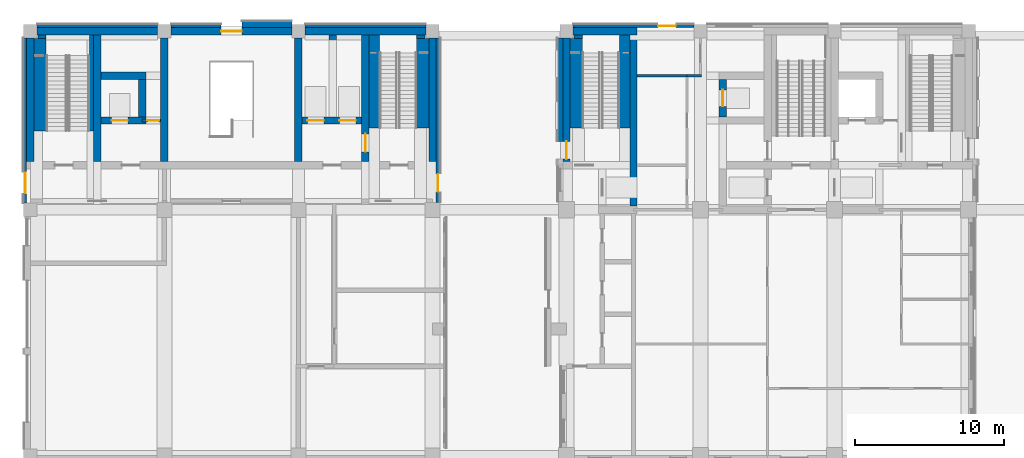
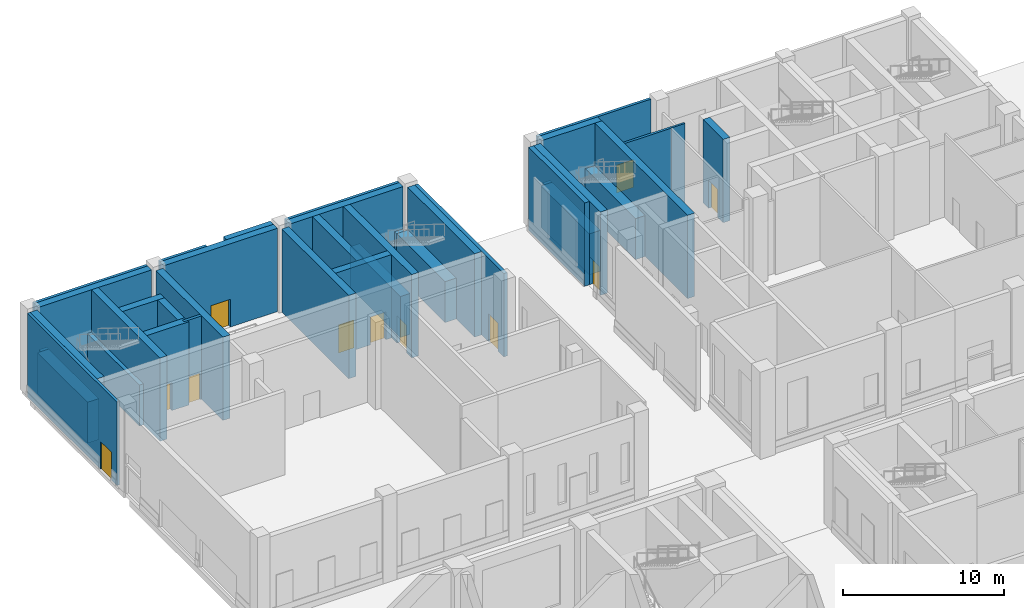
# One storey, part 17 of 35: 38 walls, 11 doors, 11 openings.
"""IFC4 building model written with IfcOpenShell, lengths in metres."""

from ifc_helpers import new_model, si_unit, direction, frame, frame_2d, origin, place, context, subcontext, project, spatial, rectangle, extrude, material, layer, layer_set, type_object, element, fill, save


model = new_model("IFC4")

# Units and contexts
model_context = context("Model", 3, precision=1e-05, world=origin(), true_north=direction((0.0, 1.0)))
body_context = subcontext(model_context, "Body", "Model", "MODEL_VIEW")
ifc_project = project(units=[si_unit("LENGTHUNIT", "METRE"), si_unit("AREAUNIT", "SQUARE_METRE"), si_unit("VOLUMEUNIT", "CUBIC_METRE"), si_unit("PLANEANGLEUNIT", "RADIAN"), si_unit("MASSUNIT", "GRAM", prefix="KILO")], contexts=[model_context])

# Site, building, storey
site_placement = place(None, origin())
site = spatial("IfcSite", under=ifc_project, at=site_placement, CompositionType="ELEMENT")
building_placement = place(site_placement, origin())
building = spatial("IfcBuilding", under=site, at=building_placement, Name="Aurelan Courthouse", CompositionType="ELEMENT")
storey_placement = place(building_placement, origin())
storey = spatial("IfcBuildingStorey", under=building, at=storey_placement, Name="L00", CompositionType="ELEMENT", Elevation=0.0)

# Walls
ifc_material_1 = material(Name="Gypsum board on metal studs")
ifc_layer_1 = layer(ifc_material_1, 0.175048828125)
ifc_layer_set_1 = layer_set([ifc_layer_1], Name="Gypsum board on metal studs")
wall_type_1 = type_object("IfcWallType", Name="Chambers acoustic partition 175 NOT RATED", PredefinedType="PARTITIONING", material=ifc_layer_set_1)
wall_1_placement = place(storey_placement, frame((40.75, 63.0, 0.0), z_axis=(0.0, 0.0, 1.0), x_axis=(1.0, 0.0, 0.0)))
element("IfcWall", 1, at=wall_1_placement, inside=storey, type_object=wall_type_1, Name="Chambers acoustic partition L00-054", PredefinedType="PARTITIONING", context=body_context, shape_type="SweptSolid", body=[
    extrude(rectangle(XDim=3.35009765625, YDim=0.175048828125, at=frame_2d((1.675048828125, 0.0))), origin(), (0.0, 0.0, 1.0), 6.300048828125),
])
ifc_layer_2 = layer(ifc_material_1, 0.14990234375)
ifc_layer_set_2 = layer_set([ifc_layer_2], Name="Gypsum board on metal studs")
wall_type_2 = type_object("IfcWallType", Name="Corridor partition 150 EI 60", PredefinedType="PARTITIONING", material=ifc_layer_set_2)
wall_2_placement = place(storey_placement, frame((44.10009765625, 63.0, 0.0), z_axis=(0.0, 0.0, 1.0), x_axis=(1.0, 0.0, 0.0)))
element("IfcWall", 2, at=wall_2_placement, inside=storey, type_object=wall_type_2, Name="Corridor partition L00-055", PredefinedType="PARTITIONING", context=body_context, shape_type="SweptSolid", body=[
    extrude(rectangle(XDim=0.974853515625, YDim=0.14990234375, at=frame_2d((0.4873046875, 0.0))), origin(), (0.0, 0.0, 1.0), 6.300048828125),
])

# Wall, opening, door
ifc_material_2 = material(Name="Granite cladding", Category="masonry")
ifc_layer_3 = layer(ifc_material_2, 0.054931640625, Name="Facing")
ifc_material_3 = material(Name="Ventilated cavity")
ifc_layer_4 = layer(ifc_material_3, 0.02490234375, ventilated=True, Name="Ventilated cavity")
ifc_material_4 = material(Name="Mineral wool insulation")
ifc_layer_5 = layer(ifc_material_4, 0.030029296875, Name="Insulation")
ifc_material_5 = material(Name="Concrete C30", Category="concrete")
ifc_layer_6 = layer(ifc_material_5, 0.090087890625, Name="Structure")
ifc_layer_set_3 = layer_set([ifc_layer_3, ifc_layer_4, ifc_layer_5, ifc_layer_6], Name="Concrete C30")
wall_type_3 = type_object("IfcWallType", Name="Courtroom Block granite-faced wall 200", PredefinedType="SOLIDWALL", material=ifc_layer_set_3)
wall_3_placement = place(storey_placement, frame((36.449951171875, 66.35009765625, 0.0), z_axis=(0.0, 0.0, 1.0), x_axis=(1.0, 0.0, 0.0)))
wall_3 = element("IfcWall", 3, at=wall_3_placement, inside=storey, type_object=wall_type_3, Name="Facade wall FW-V2-L00-005", PredefinedType="SOLIDWALL", context=body_context, shape_type="SweptSolid", body=[
    extrude(rectangle(XDim=8.10009765625, YDim=0.199951171875, at=frame_2d((4.050048828125, 0.0))), origin(), (0.0, 0.0, 1.0), 6.300048828125),
])
opening_1_placement = place(wall_3_placement, frame((5.699951171875, 0.0, 0.0)))
opening_1 = element("IfcOpeningElement", 4, at=opening_1_placement, cuts=wall_3, Name="Opening D-L00-053", PredefinedType="OPENING", context=body_context, shape_type="SweptSolid", body=[
    extrude(rectangle(XDim=1.199951171875, YDim=2.10009765625, at=frame_2d((0.60009765625, 1.050048828125))), frame((0.0, 0.10986328125, 0.0), z_axis=(0.0, -1.0, 0.0), x_axis=(1.0, 0.0, 0.0)), (0.0, 0.0, 1.0), 0.219970703125),
])
ifc_material_6 = material(Name="Bronze-clad timber", Category="wood")
door_type_1 = type_object("IfcDoorType", Name="Bronze single door 1200 x 2100", OperationType="SINGLE_SWING_LEFT", PredefinedType="DOOR", material=ifc_material_6)
door_1_placement = place(opening_1_placement, origin())
door_1 = element("IfcDoor", 5, at=door_1_placement, inside=storey, type_object=door_type_1, Name="Exit door D-L00-053", OperationType="SINGLE_SWING_LEFT", OverallHeight=2.10009765625, OverallWidth=1.199951171875, PredefinedType="DOOR", context=body_context, shape_type="SweptSolid", body=[
    extrude(rectangle(XDim=1.199951171875, YDim=2.10009765625, at=frame_2d((0.60009765625, 1.050048828125))), frame((0.0, 0.02490234375, 0.0), z_axis=(0.0, -1.0, 0.0), x_axis=(1.0, 0.0, 0.0)), (0.0, 0.0, 1.0), 0.050048828125),
])
fill(opening_1, door_1)

# Walls
ifc_layer_7 = layer(ifc_material_2, 0.10009765625, Name="Facing")
ifc_layer_8 = layer(ifc_material_3, 0.02490234375, ventilated=True, Name="Ventilated cavity")
ifc_layer_9 = layer(ifc_material_4, 0.050048828125, Name="Insulation")
ifc_layer_10 = layer(ifc_material_5, 0.175048828125, Name="Structure")
ifc_layer_set_4 = layer_set([ifc_layer_7, ifc_layer_8, ifc_layer_9, ifc_layer_10], Name="Concrete C30")
wall_type_4 = type_object("IfcWallType", Name="Courtroom Block granite-faced wall 350", PredefinedType="SOLIDWALL", material=ifc_layer_set_4)
wall_4_placement = place(storey_placement, frame((35.574951171875, 58.60009765625, 0.0), z_axis=(0.0, 0.0, 1.0), x_axis=(0.0, 1.0, 0.0)))
element("IfcWall", 6, at=wall_4_placement, inside=storey, type_object=wall_type_4, Name="Facade wall FW-V2-L00-017", PredefinedType="SOLIDWALL", context=body_context, shape_type="SweptSolid", body=[
    extrude(rectangle(XDim=6.949951171875, YDim=0.35009765625, at=frame_2d((3.47509765625, 0.0))), origin(), (0.0, 0.0, 1.0), 6.300048828125),
])
ifc_layer_11 = layer(ifc_material_2, 0.054931640625, Name="Facing")
ifc_layer_12 = layer(ifc_material_3, 0.02490234375, ventilated=True, Name="Ventilated cavity")
ifc_layer_13 = layer(ifc_material_4, 0.030029296875, Name="Insulation")
ifc_layer_14 = layer(ifc_material_5, 0.090087890625, Name="Structure")
ifc_layer_set_5 = layer_set([ifc_layer_11, ifc_layer_12, ifc_layer_13, ifc_layer_14], Name="Concrete C30")
wall_type_5 = type_object("IfcWallType", Name="Custody Suite granite-faced wall 200", PredefinedType="SOLIDWALL", material=ifc_layer_set_5)
wall_5_placement = place(storey_placement, frame((0.449951171875, 66.35009765625, 0.0), z_axis=(0.0, 0.0, 1.0), x_axis=(1.0, 0.0, 0.0)))
element("IfcWall", 7, at=wall_5_placement, inside=storey, type_object=wall_type_5, Name="Facade wall FW-V6-L00-004", PredefinedType="SOLIDWALL", context=body_context, shape_type="SweptSolid", body=[
    extrude(rectangle(XDim=8.10009765625, YDim=0.199951171875, at=frame_2d((4.050048828125, 0.0))), origin(), (0.0, 0.0, 1.0), 6.300048828125),
])
wall_6_placement = place(storey_placement, frame((9.449951171875, 66.35009765625, 0.0), z_axis=(0.0, 0.0, 1.0), x_axis=(1.0, 0.0, 0.0)))
element("IfcWall", 8, at=wall_6_placement, inside=storey, type_object=wall_type_5, Name="Facade wall FW-V6-L00-005", PredefinedType="SOLIDWALL", context=body_context, shape_type="SweptSolid", body=[
    extrude(rectangle(XDim=3.35009765625, YDim=0.199951171875, at=frame_2d((1.675048828125, 0.0))), origin(), (0.0, 0.0, 1.0), 6.300048828125),
])
wall_7_placement = place(storey_placement, frame((18.449951171875, 66.35009765625, 0.0), z_axis=(0.0, 0.0, 1.0), x_axis=(1.0, 0.0, 0.0)))
element("IfcWall", 9, at=wall_7_placement, inside=storey, type_object=wall_type_5, Name="Facade wall FW-V6-L00-007", PredefinedType="SOLIDWALL", context=body_context, shape_type="SweptSolid", body=[
    extrude(rectangle(XDim=8.10009765625, YDim=0.199951171875, at=frame_2d((4.050048828125, 0.0))), origin(), (0.0, 0.0, 1.0), 6.300048828125),
])

# Wall, opening, door
wall_8_placement = place(storey_placement, frame((-0.35009765625, 54.449951171875, 0.0), z_axis=(0.0, 0.0, 1.0), x_axis=(0.0, 1.0, 0.0)))
wall_8 = element("IfcWall", 10, at=wall_8_placement, inside=storey, type_object=wall_type_5, Name="Facade wall FW-V6-L00-011", PredefinedType="SOLIDWALL", context=body_context, shape_type="SweptSolid", body=[
    extrude(rectangle(XDim=11.10009765625, YDim=0.199951171875, at=frame_2d((5.550048828125, 0.0))), origin(), (0.0, 0.0, 1.0), 6.300048828125),
])
opening_2_placement = place(wall_8_placement, frame((0.64990234375, 0.0, 0.0)))
opening_2 = element("IfcOpeningElement", 11, at=opening_2_placement, cuts=wall_8, Name="Opening D-L00-130", PredefinedType="OPENING", context=body_context, shape_type="SweptSolid", body=[
    extrude(rectangle(XDim=1.39990234375, YDim=2.10009765625, at=frame_2d((0.699951171875, 1.050048828125))), frame((0.0, 0.10986328125, 0.0), z_axis=(0.0, -1.0, 0.0), x_axis=(1.0, 0.0, 0.0)), (0.0, 0.0, 1.0), 0.219970703125),
])
door_type_2 = type_object("IfcDoorType", Name="Bronze single door 1400 x 2100", OperationType="SINGLE_SWING_LEFT", PredefinedType="DOOR", material=ifc_material_6)
door_2_placement = place(opening_2_placement, origin())
door_2 = element("IfcDoor", 12, at=door_2_placement, inside=storey, type_object=door_type_2, Name="Exit door D-L00-130", OperationType="SINGLE_SWING_RIGHT", OverallHeight=2.10009765625, OverallWidth=1.39990234375, PredefinedType="DOOR", context=body_context, shape_type="SweptSolid", body=[
    extrude(rectangle(XDim=1.39990234375, YDim=2.10009765625, at=frame_2d((0.699951171875, 1.050048828125))), frame((0.0, 0.02490234375, 0.0), z_axis=(0.0, -1.0, 0.0), x_axis=(1.0, 0.0, 0.0)), (0.0, 0.0, 1.0), 0.050048828125),
])
fill(opening_2, door_2)

ifc_layer_15 = layer(ifc_material_2, 0.070068359375, Name="Facing")
ifc_layer_16 = layer(ifc_material_3, 0.02490234375, ventilated=True, Name="Ventilated cavity")
ifc_layer_17 = layer(ifc_material_4, 0.034912109375, Name="Insulation")
ifc_layer_18 = layer(ifc_material_5, 0.1201171875, Name="Structure")
ifc_layer_set_6 = layer_set([ifc_layer_15, ifc_layer_16, ifc_layer_17, ifc_layer_18], Name="Concrete C30")
wall_type_6 = type_object("IfcWallType", Name="Custody Suite granite-faced wall 250", PredefinedType="SOLIDWALL", material=ifc_layer_set_6)
wall_9_placement = place(storey_placement, frame((27.375, 54.5, 0.0), z_axis=(0.0, 0.0, 1.0), x_axis=(0.0, 1.0, 0.0)))
wall_9 = element("IfcWall", 13, at=wall_9_placement, inside=storey, type_object=wall_type_6, Name="Facade wall FW-V6-L00-009", PredefinedType="SOLIDWALL", context=body_context, shape_type="SweptSolid", body=[
    extrude(rectangle(XDim=11.050048828125, YDim=0.25, at=frame_2d((5.52490234375, 0.0))), origin(), (0.0, 0.0, 1.0), 6.300048828125),
])
opening_3_placement = place(wall_9_placement, frame((1.89990234375, 0.0, 0.0), z_axis=(0.0, 0.0, 1.0), x_axis=(-1.0, 0.0, 0.0)))
opening_3 = element("IfcOpeningElement", 14, at=opening_3_placement, cuts=wall_9, Name="Opening D-L00-131", PredefinedType="OPENING", context=body_context, shape_type="SweptSolid", body=[
    extrude(rectangle(XDim=1.199951171875, YDim=2.10009765625, at=frame_2d((0.60009765625, 1.050048828125))), frame((0.0, 0.135009765625, 0.0), z_axis=(0.0, -1.0, 0.0), x_axis=(1.0, 0.0, 0.0)), (0.0, 0.0, 1.0), 0.27001953125),
])
door_3_placement = place(opening_3_placement, origin())
door_3 = element("IfcDoor", 15, at=door_3_placement, inside=storey, type_object=door_type_1, Name="Exit door D-L00-131", OperationType="SINGLE_SWING_LEFT", OverallHeight=2.10009765625, OverallWidth=1.199951171875, PredefinedType="DOOR", context=body_context, shape_type="SweptSolid", body=[
    extrude(rectangle(XDim=1.199951171875, YDim=2.10009765625, at=frame_2d((0.60009765625, 1.050048828125))), frame((0.0, 0.02490234375, 0.0), z_axis=(0.0, -1.0, 0.0), x_axis=(1.0, 0.0, 0.0)), (0.0, 0.0, 1.0), 0.050048828125),
])
fill(opening_3, door_3)

# Walls
ifc_layer_19 = layer(ifc_material_2, 0.114990234375, Name="Facing")
ifc_layer_20 = layer(ifc_material_3, 0.02490234375, ventilated=True, Name="Ventilated cavity")
ifc_layer_21 = layer(ifc_material_4, 0.054931640625, Name="Insulation")
ifc_layer_22 = layer(ifc_material_5, 0.205078125, Name="Structure")
ifc_layer_set_7 = layer_set([ifc_layer_19, ifc_layer_20, ifc_layer_21, ifc_layer_22], Name="Concrete C30")
wall_type_7 = type_object("IfcWallType", Name="Custody Suite granite-faced wall 400", PredefinedType="SOLIDWALL", material=ifc_layer_set_7)
wall_10_placement = place(storey_placement, frame((14.199951171875, 66.449951171875, 0.0), z_axis=(0.0, 0.0, 1.0), x_axis=(1.0, 0.0, 0.0)))
element("IfcWall", 16, at=wall_10_placement, inside=storey, type_object=wall_type_7, Name="Facade wall FW-V6-L00-006", PredefinedType="SOLIDWALL", context=body_context, shape_type="SweptSolid", body=[
    extrude(rectangle(XDim=3.35009765625, YDim=0.39990234375, at=frame_2d((1.675048828125, 0.0))), origin(), (0.0, 0.0, 1.0), 6.300048828125),
])
ifc_material_7 = material(Name="Concrete C50", Category="concrete")
ifc_layer_23 = layer(ifc_material_7, 0.5)
ifc_layer_set_8 = layer_set([ifc_layer_23], Name="Concrete C50")
wall_type_8 = type_object("IfcWallType", Name="RC shear wall 500", PredefinedType="SHEAR", material=ifc_layer_set_8)
wall_11_placement = place(storey_placement, frame((40.5, 54.25, 0.0), z_axis=(0.0, 0.0, 1.0), x_axis=(0.0, 1.0, 0.0)))
element("IfcWall", 17, at=wall_11_placement, inside=storey, type_object=wall_type_8, Name="Core wall SW-L00-054", PredefinedType="SHEAR", context=body_context, shape_type="SweptSolid", body=[
    extrude(rectangle(XDim=11.5, YDim=0.5, at=frame_2d((5.75, 0.0))), origin(), (0.0, 0.0, 1.0), 6.300048828125),
])
wall_12_placement = place(storey_placement, frame((0.0, 57.25, 0.0), z_axis=(0.0, 0.0, 1.0), x_axis=(0.0, 1.0, 0.0)))
element("IfcWall", 18, at=wall_12_placement, inside=storey, type_object=wall_type_8, Name="Core wall SW-L00-065", PredefinedType="SHEAR", context=body_context, shape_type="SweptSolid", body=[
    extrude(rectangle(XDim=8.300048828125, YDim=0.5, at=frame_2d((4.14990234375, 0.0))), origin(), (0.0, 0.0, 1.0), 6.300048828125),
])
wall_13_placement = place(storey_placement, frame((4.5, 57.25, 0.0), z_axis=(0.0, 0.0, 1.0), x_axis=(0.0, 1.0, 0.0)))
element("IfcWall", 19, at=wall_13_placement, inside=storey, type_object=wall_type_8, Name="Core wall SW-L00-066", PredefinedType="SHEAR", context=body_context, shape_type="SweptSolid", body=[
    extrude(rectangle(XDim=8.5, YDim=0.5, at=frame_2d((4.25, 0.0))), origin(), (0.0, 0.0, 1.0), 6.300048828125),
])
for number, where, z_axis, x_axis, name in (
    (20, (9.0, 57.25, 0.0), (0.0, 0.0, 1.0), (0.0, 1.0, 0.0), "Core wall SW-L00-067"),
    (21, (18.0, 57.25, 0.0), (0.0, 0.0, 1.0), (0.0, 1.0, 0.0), "Core wall SW-L00-068"),
):
    element("IfcWall", number, at=place(storey_placement, frame(where, z_axis=z_axis, x_axis=x_axis)), inside=storey, type_object=wall_type_8, Name=name, PredefinedType="SHEAR", context=body_context, shape_type="SweptSolid", body=[
        extrude(rectangle(XDim=8.300048828125, YDim=0.5, at=frame_2d((4.14990234375, 0.0))), origin(), (0.0, 0.0, 1.0), 6.300048828125),
    ])

# Wall, opening, door
wall_14_placement = place(storey_placement, frame((22.5, 57.25, 0.0), z_axis=(0.0, 0.0, 1.0), x_axis=(0.0, 1.0, 0.0)))
wall_14 = element("IfcWall", 22, at=wall_14_placement, inside=storey, type_object=wall_type_8, Name="Core wall SW-L00-069", PredefinedType="SHEAR", context=body_context, shape_type="SweptSolid", body=[
    extrude(rectangle(XDim=8.5, YDim=0.5, at=frame_2d((4.25, 0.0))), origin(), (0.0, 0.0, 1.0), 6.300048828125),
])
opening_4_placement = place(wall_14_placement, frame((1.849853515625, 0.0, 0.0), z_axis=(0.0, 0.0, 1.0), x_axis=(-1.0, 0.0, 0.0)))
opening_4 = element("IfcOpeningElement", 23, at=opening_4_placement, cuts=wall_14, Name="Opening D-L00-120", PredefinedType="OPENING", context=body_context, shape_type="SweptSolid", body=[
    extrude(rectangle(XDim=1.199951171875, YDim=2.10009765625, at=frame_2d((0.60009765625, 1.050048828125))), frame((0.0, 0.260009765625, 0.0), z_axis=(0.0, -1.0, 0.0), x_axis=(1.0, 0.0, 0.0)), (0.0, 0.0, 1.0), 0.52001953125),
])
ifc_material_8 = material(Name="Steel", Category="steel")
door_type_3 = type_object("IfcDoorType", Name="Single door 1200 x 2100 FD120", OperationType="SINGLE_SWING_LEFT", PredefinedType="DOOR", material=ifc_material_8)
door_4_placement = place(opening_4_placement, origin())
door_4 = element("IfcDoor", 24, at=door_4_placement, inside=storey, type_object=door_type_3, Name="Single door D-L00-120", OperationType="SINGLE_SWING_RIGHT", OverallHeight=2.10009765625, OverallWidth=1.199951171875, PredefinedType="DOOR", context=body_context, shape_type="SweptSolid", body=[
    extrude(rectangle(XDim=1.199951171875, YDim=2.10009765625, at=frame_2d((0.60009765625, 1.050048828125))), frame((0.0, 0.02490234375, 0.0), z_axis=(0.0, -1.0, 0.0), x_axis=(1.0, 0.0, 0.0)), (0.0, 0.0, 1.0), 0.050048828125),
])
fill(opening_4, door_4)

# Wall
wall_15_placement = place(storey_placement, frame((27.0, 57.25, 0.0), z_axis=(0.0, 0.0, 1.0), x_axis=(0.0, 1.0, 0.0)))
element("IfcWall", 25, at=wall_15_placement, inside=storey, type_object=wall_type_8, Name="Core wall SW-L00-070", PredefinedType="SHEAR", context=body_context, shape_type="SweptSolid", body=[
    extrude(rectangle(XDim=8.300048828125, YDim=0.5, at=frame_2d((4.14990234375, 0.0))), origin(), (0.0, 0.0, 1.0), 6.300048828125),
])

# Wall, opening, door
wall_16_placement = place(storey_placement, frame((36.0, 57.25, 0.0), z_axis=(0.0, 0.0, 1.0), x_axis=(0.0, 1.0, 0.0)))
wall_16 = element("IfcWall", 26, at=wall_16_placement, inside=storey, type_object=wall_type_8, Name="Core wall SW-L00-071", PredefinedType="SHEAR", context=body_context, shape_type="SweptSolid", body=[
    extrude(rectangle(XDim=8.300048828125, YDim=0.5, at=frame_2d((4.14990234375, 0.0))), origin(), (0.0, 0.0, 1.0), 6.300048828125),
])
opening_5_placement = place(wall_16_placement, frame((0.14990234375, 0.0, 0.0)))
opening_5 = element("IfcOpeningElement", 27, at=opening_5_placement, cuts=wall_16, Name="Opening D-L00-032", PredefinedType="OPENING", context=body_context, shape_type="SweptSolid", body=[
    extrude(rectangle(XDim=1.199951171875, YDim=2.10009765625, at=frame_2d((0.60009765625, 1.050048828125))), frame((0.0, 0.260009765625, 0.0), z_axis=(0.0, -1.0, 0.0), x_axis=(1.0, 0.0, 0.0)), (0.0, 0.0, 1.0), 0.52001953125),
])
door_5_placement = place(opening_5_placement, origin())
door_5 = element("IfcDoor", 28, at=door_5_placement, inside=storey, type_object=door_type_1, Name="Exit door D-L00-032", OperationType="SINGLE_SWING_RIGHT", OverallHeight=2.10009765625, OverallWidth=1.199951171875, PredefinedType="DOOR", context=body_context, shape_type="SweptSolid", body=[
    extrude(rectangle(XDim=1.199951171875, YDim=2.10009765625, at=frame_2d((0.60009765625, 1.050048828125))), frame((0.0, 0.02490234375, 0.0), z_axis=(0.0, -1.0, 0.0), x_axis=(1.0, 0.0, 0.0)), (0.0, 0.0, 1.0), 0.050048828125),
])
fill(opening_5, door_5)

wall_17_placement = place(storey_placement, frame((4.75, 60.0, 0.0), z_axis=(0.0, 0.0, 1.0), x_axis=(1.0, 0.0, 0.0)))
wall_17 = element("IfcWall", 29, at=wall_17_placement, inside=storey, type_object=wall_type_8, Name="Core wall SW-L00-078", PredefinedType="SHEAR", context=body_context, shape_type="SweptSolid", body=[
    extrude(rectangle(XDim=3.0, YDim=0.5, at=frame_2d((1.5, 0.0))), origin(), (0.0, 0.0, 1.0), 6.300048828125),
])
opening_6_placement = place(wall_17_placement, frame((0.699951171875, 0.0, 0.0)))
opening_6 = element("IfcOpeningElement", 30, at=opening_6_placement, cuts=wall_17, Name="Opening LD-V6-S1-L00", PredefinedType="OPENING", context=body_context, shape_type="SweptSolid", body=[
    extrude(rectangle(XDim=1.10009765625, YDim=2.10009765625, at=frame_2d((0.550048828125, 1.050048828125))), frame((0.0, 0.260009765625, 0.0), z_axis=(0.0, -1.0, 0.0), x_axis=(1.0, 0.0, 0.0)), (0.0, 0.0, 1.0), 0.52001953125),
])
door_type_4 = type_object("IfcDoorType", Name="Lift landing door 1100 x 2100 FD90", OperationType="SLIDING_TO_LEFT", PredefinedType="DOOR", material=ifc_material_8)
door_6_placement = place(opening_6_placement, origin())
door_6 = element("IfcDoor", 31, at=door_6_placement, inside=storey, type_object=door_type_4, Name="Lift landing door LD-V6-S1-L00", OperationType="SLIDING_TO_LEFT", OverallHeight=2.10009765625, OverallWidth=1.10009765625, PredefinedType="DOOR", context=body_context, shape_type="SweptSolid", body=[
    extrude(rectangle(XDim=1.10009765625, YDim=2.10009765625, at=frame_2d((0.550048828125, 1.050048828125))), frame((0.0, 0.02490234375, 0.0), z_axis=(0.0, -1.0, 0.0), x_axis=(1.0, 0.0, 0.0)), (0.0, 0.0, 1.0), 0.050048828125),
])
fill(opening_6, door_6)

# Wall, openings, doors
wall_18_placement = place(storey_placement, frame((18.25, 60.0, 0.0), z_axis=(0.0, 0.0, 1.0), x_axis=(1.0, 0.0, 0.0)))
wall_18 = element("IfcWall", 32, at=wall_18_placement, inside=storey, type_object=wall_type_8, Name="Core wall SW-L00-079", PredefinedType="SHEAR", context=body_context, shape_type="SweptSolid", body=[
    extrude(rectangle(XDim=4.0, YDim=0.5, at=frame_2d((2.0, 0.0))), origin(), (0.0, 0.0, 1.0), 6.300048828125),
])
opening_7_placement = place(wall_18_placement, frame((0.35009765625, 0.0, 0.0)))
opening_7 = element("IfcOpeningElement", 33, at=opening_7_placement, cuts=wall_18, Name="Opening LD-V6-C1-L00", PredefinedType="OPENING", context=body_context, shape_type="SweptSolid", body=[
    extrude(rectangle(XDim=1.10009765625, YDim=2.10009765625, at=frame_2d((0.550048828125, 1.050048828125))), frame((0.0, 0.260009765625, 0.0), z_axis=(0.0, -1.0, 0.0), x_axis=(1.0, 0.0, 0.0)), (0.0, 0.0, 1.0), 0.52001953125),
])
opening_8_placement = place(wall_18_placement, frame((2.5, 0.0, 0.0)))
opening_8 = element("IfcOpeningElement", 34, at=opening_8_placement, cuts=wall_18, Name="Opening LD-V6-C2-L00", PredefinedType="OPENING", context=body_context, shape_type="SweptSolid", body=[
    extrude(rectangle(XDim=1.10009765625, YDim=2.10009765625, at=frame_2d((0.550048828125, 1.050048828125))), frame((0.0, 0.260009765625, 0.0), z_axis=(0.0, -1.0, 0.0), x_axis=(1.0, 0.0, 0.0)), (0.0, 0.0, 1.0), 0.52001953125),
])
door_7_placement = place(opening_7_placement, origin())
door_7 = element("IfcDoor", 35, at=door_7_placement, inside=storey, type_object=door_type_4, Name="Lift landing door LD-V6-C1-L00", OperationType="SLIDING_TO_LEFT", OverallHeight=2.10009765625, OverallWidth=1.10009765625, PredefinedType="DOOR", context=body_context, shape_type="SweptSolid", body=[
    extrude(rectangle(XDim=1.10009765625, YDim=2.10009765625, at=frame_2d((0.550048828125, 1.050048828125))), frame((0.0, 0.02490234375, 0.0), z_axis=(0.0, -1.0, 0.0), x_axis=(1.0, 0.0, 0.0)), (0.0, 0.0, 1.0), 0.050048828125),
])
fill(opening_7, door_7)
door_8_placement = place(opening_8_placement, origin())
door_8 = element("IfcDoor", 36, at=door_8_placement, inside=storey, type_object=door_type_4, Name="Lift landing door LD-V6-C2-L00", OperationType="SLIDING_TO_LEFT", OverallHeight=2.10009765625, OverallWidth=1.10009765625, PredefinedType="DOOR", context=body_context, shape_type="SweptSolid", body=[
    extrude(rectangle(XDim=1.10009765625, YDim=2.10009765625, at=frame_2d((0.550048828125, 1.050048828125))), frame((0.0, 0.02490234375, 0.0), z_axis=(0.0, -1.0, 0.0), x_axis=(1.0, 0.0, 0.0)), (0.0, 0.0, 1.0), 0.050048828125),
])
fill(opening_8, door_8)

# Walls
wall_19_placement = place(storey_placement, frame((7.5, 60.25, 0.0), z_axis=(0.0, 0.0, 1.0), x_axis=(0.0, 1.0, 0.0)))
element("IfcWall", 37, at=wall_19_placement, inside=storey, type_object=wall_type_8, Name="Core wall SW-L00-083", PredefinedType="SHEAR", context=body_context, shape_type="SweptSolid", body=[
    extrude(rectangle(XDim=2.5, YDim=0.5, at=frame_2d((1.25, 0.0))), origin(), (0.0, 0.0, 1.0), 6.300048828125),
])
wall_20_placement = place(storey_placement, frame((20.300048828125, 60.25, 0.0), z_axis=(0.0, 0.0, 1.0), x_axis=(0.0, 1.0, 0.0)))
element("IfcWall", 38, at=wall_20_placement, inside=storey, type_object=wall_type_8, Name="Core wall SW-L00-084", PredefinedType="SHEAR", context=body_context, shape_type="SweptSolid", body=[
    extrude(rectangle(XDim=5.5, YDim=0.5, at=frame_2d((2.75, 0.0))), origin(), (0.0, 0.0, 1.0), 6.300048828125),
])

# Wall, opening, door
wall_21_placement = place(storey_placement, frame((46.5, 60.25, 0.0), z_axis=(0.0, 0.0, 1.0), x_axis=(0.0, 1.0, 0.0)))
wall_21 = element("IfcWall", 39, at=wall_21_placement, inside=storey, type_object=wall_type_8, Name="Core wall SW-L00-085", PredefinedType="SHEAR", context=body_context, shape_type="SweptSolid", body=[
    extrude(rectangle(XDim=2.5, YDim=0.5, at=frame_2d((1.25, 0.0))), origin(), (0.0, 0.0, 1.0), 6.300048828125),
])
opening_9_placement = place(wall_21_placement, frame((0.699951171875, 0.0, 0.0)))
opening_9 = element("IfcOpeningElement", 40, at=opening_9_placement, cuts=wall_21, Name="Opening LD-V2-J1-L00", PredefinedType="OPENING", context=body_context, shape_type="SweptSolid", body=[
    extrude(rectangle(XDim=1.10009765625, YDim=2.10009765625, at=frame_2d((0.550048828125, 1.050048828125))), frame((0.0, 0.260009765625, 0.0), z_axis=(0.0, -1.0, 0.0), x_axis=(1.0, 0.0, 0.0)), (0.0, 0.0, 1.0), 0.52001953125),
])
door_9_placement = place(opening_9_placement, origin())
door_9 = element("IfcDoor", 41, at=door_9_placement, inside=storey, type_object=door_type_4, Name="Lift landing door LD-V2-J1-L00", OperationType="SLIDING_TO_LEFT", OverallHeight=2.10009765625, OverallWidth=1.10009765625, PredefinedType="DOOR", context=body_context, shape_type="SweptSolid", body=[
    extrude(rectangle(XDim=1.10009765625, YDim=2.10009765625, at=frame_2d((0.550048828125, 1.050048828125))), frame((0.0, 0.02490234375, 0.0), z_axis=(0.0, -1.0, 0.0), x_axis=(1.0, 0.0, 0.0)), (0.0, 0.0, 1.0), 0.050048828125),
])
fill(opening_9, door_9)

# Walls
wall_22_placement = place(storey_placement, frame((4.75, 63.0, 0.0), z_axis=(0.0, 0.0, 1.0), x_axis=(1.0, 0.0, 0.0)))
element("IfcWall", 42, at=wall_22_placement, inside=storey, type_object=wall_type_8, Name="Core wall SW-L00-089", PredefinedType="SHEAR", context=body_context, shape_type="SweptSolid", body=[
    extrude(rectangle(XDim=3.0, YDim=0.5, at=frame_2d((1.5, 0.0))), origin(), (0.0, 0.0, 1.0), 6.300048828125),
])
wall_23_placement = place(storey_placement, frame((0.449951171875, 66.0, 0.0), z_axis=(0.0, 0.0, 1.0), x_axis=(1.0, 0.0, 0.0)))
element("IfcWall", 43, at=wall_23_placement, inside=storey, type_object=wall_type_8, Name="Core wall SW-L00-093", PredefinedType="SHEAR", context=body_context, shape_type="SweptSolid", body=[
    extrude(rectangle(XDim=8.10009765625, YDim=0.5, at=frame_2d((4.050048828125, 0.0))), origin(), (0.0, 0.0, 1.0), 6.300048828125),
])

# Wall, opening, door
wall_24_placement = place(storey_placement, frame((9.449951171875, 66.0, 0.0), z_axis=(0.0, 0.0, 1.0), x_axis=(1.0, 0.0, 0.0)))
wall_24 = element("IfcWall", 44, at=wall_24_placement, inside=storey, type_object=wall_type_8, Name="Core wall SW-L00-094", PredefinedType="SHEAR", context=body_context, shape_type="SweptSolid", body=[
    extrude(rectangle(XDim=8.10009765625, YDim=0.5, at=frame_2d((4.050048828125, 0.0))), origin(), (0.0, 0.0, 1.0), 6.300048828125),
])
opening_10_placement = place(wall_24_placement, frame((3.35009765625, 0.0, 0.0)))
opening_10 = element("IfcOpeningElement", 45, at=opening_10_placement, cuts=wall_24, Name="Opening D-L00-132", PredefinedType="OPENING", context=body_context, shape_type="SweptSolid", body=[
    extrude(rectangle(XDim=1.39990234375, YDim=2.10009765625, at=frame_2d((0.699951171875, 1.050048828125))), frame((0.0, 0.260009765625, 0.0), z_axis=(0.0, -1.0, 0.0), x_axis=(1.0, 0.0, 0.0)), (0.0, 0.0, 1.0), 0.52001953125),
])
door_10_placement = place(opening_10_placement, origin())
door_10 = element("IfcDoor", 46, at=door_10_placement, inside=storey, type_object=door_type_2, Name="Exit door D-L00-132", OperationType="SINGLE_SWING_RIGHT", OverallHeight=2.10009765625, OverallWidth=1.39990234375, PredefinedType="DOOR", context=body_context, shape_type="SweptSolid", body=[
    extrude(rectangle(XDim=1.39990234375, YDim=2.10009765625, at=frame_2d((0.699951171875, 1.050048828125))), frame((0.0, 0.02490234375, 0.0), z_axis=(0.0, -1.0, 0.0), x_axis=(1.0, 0.0, 0.0)), (0.0, 0.0, 1.0), 0.050048828125),
])
fill(opening_10, door_10)

# Walls
wall_25_placement = place(storey_placement, frame((18.449951171875, 66.0, 0.0), z_axis=(0.0, 0.0, 1.0), x_axis=(1.0, 0.0, 0.0)))
element("IfcWall", 47, at=wall_25_placement, inside=storey, type_object=wall_type_8, Name="Core wall SW-L00-095", PredefinedType="SHEAR", context=body_context, shape_type="SweptSolid", body=[
    extrude(rectangle(XDim=8.10009765625, YDim=0.5, at=frame_2d((4.050048828125, 0.0))), origin(), (0.0, 0.0, 1.0), 6.300048828125),
])
wall_26_placement = place(storey_placement, frame((36.449951171875, 66.0, 0.0), z_axis=(0.0, 0.0, 1.0), x_axis=(1.0, 0.0, 0.0)))
element("IfcWall", 48, at=wall_26_placement, inside=storey, type_object=wall_type_8, Name="Core wall SW-L00-096", PredefinedType="SHEAR", context=body_context, shape_type="SweptSolid", body=[
    extrude(rectangle(XDim=4.300048828125, YDim=0.5, at=frame_2d((2.14990234375, 0.0))), origin(), (0.0, 0.0, 1.0), 6.300048828125),
])

# Wall, opening, door
ifc_layer_24 = layer(ifc_material_5, 0.199951171875)
ifc_layer_set_9 = layer_set([ifc_layer_24], Name="Concrete C30")
wall_type_9 = type_object("IfcWallType", Name="Shaft wall 200 EI 120 load-bearing", PredefinedType="SHEAR", material=ifc_layer_set_9)
wall_27_placement = place(storey_placement, frame((7.5, 60.0, 0.0), z_axis=(0.0, 0.0, 1.0), x_axis=(1.0, 0.0, 0.0)))
wall_27 = element("IfcWall", 49, at=wall_27_placement, inside=storey, type_object=wall_type_9, Name="Shaft wall L00-052", PredefinedType="SHEAR", context=body_context, shape_type="SweptSolid", body=[
    extrude(rectangle(XDim=1.25, YDim=0.199951171875, at=frame_2d((0.625, 0.0))), origin(), (0.0, 0.0, 1.0), 6.300048828125),
])
opening_11_placement = place(wall_27_placement, frame((1.150146484375, 0.0, 0.0), z_axis=(0.0, 0.0, 1.0), x_axis=(-1.0, 0.0, 0.0)))
opening_11 = element("IfcOpeningElement", 50, at=opening_11_placement, cuts=wall_27, Name="Opening D-L00-116", PredefinedType="OPENING", context=body_context, shape_type="SweptSolid", body=[
    extrude(rectangle(XDim=0.800048828125, YDim=2.0, at=frame_2d((0.39990234375, 1.0))), frame((0.0, 0.10986328125, 0.0), z_axis=(0.0, -1.0, 0.0), x_axis=(1.0, 0.0, 0.0)), (0.0, 0.0, 1.0), 0.219970703125),
])
door_type_5 = type_object("IfcDoorType", Name="Single door 800 x 2000 FD90", OperationType="SINGLE_SWING_LEFT", PredefinedType="DOOR", material=ifc_material_8)
door_11_placement = place(opening_11_placement, origin())
door_11 = element("IfcDoor", 51, at=door_11_placement, inside=storey, type_object=door_type_5, Name="Single door D-L00-116", OperationType="SINGLE_SWING_LEFT", OverallHeight=2.0, OverallWidth=0.800048828125, PredefinedType="DOOR", context=body_context, shape_type="SweptSolid", body=[
    extrude(rectangle(XDim=0.800048828125, YDim=2.0, at=frame_2d((0.39990234375, 1.0))), frame((0.0, 0.02490234375, 0.0), z_axis=(0.0, -1.0, 0.0), x_axis=(1.0, 0.0, 0.0)), (0.0, 0.0, 1.0), 0.050048828125),
])
fill(opening_11, door_11)

# Walls
ifc_layer_25 = layer(ifc_material_5, 0.2900390625)
ifc_layer_set_10 = layer_set([ifc_layer_25], Name="Concrete C30")
wall_type_10 = type_object("IfcWallType", Name="Stair well wall 290 EI 120 load-bearing", PredefinedType="SHEAR", material=ifc_layer_set_10)
wall_28_placement = place(storey_placement, frame((4.10498046875, 59.31005859375, 0.0), z_axis=(0.0, 0.0, 1.0), x_axis=(0.0, 1.0, 0.0)))
element("IfcWall", 52, at=wall_28_placement, inside=storey, type_object=wall_type_10, Name="Stair well wall ST-6-L00 B", PredefinedType="SHEAR", context=body_context, shape_type="SweptSolid", body=[
    extrude(rectangle(XDim=6.43994140625, YDim=0.2900390625, at=frame_2d((3.219970703125, 0.0))), origin(), (0.0, 0.0, 1.0), 3.10009765625),
])
ifc_layer_26 = layer(ifc_material_5, 0.56005859375)
ifc_layer_set_11 = layer_set([ifc_layer_26], Name="Concrete C30")
wall_type_11 = type_object("IfcWallType", Name="Stair well wall 560 EI 120 load-bearing", PredefinedType="SHEAR", material=ifc_layer_set_11)
for number, where, z_axis, x_axis, name in (
    (53, (36.780029296875, 65.5, 0.0), (0.0, 0.0, 1.0), (0.0, 1.0, 0.0), "Stair well wall CS-2-L00 A2"),
    (54, (26.219970703125, 65.5, 0.0), (0.0, 0.0, 1.0), (0.0, 1.0, 0.0), "Stair well wall CS-6-L00 B2"),
    (55, (0.780029296875, 65.5, 0.0), (0.0, 0.0, 1.0), (0.0, 1.0, 0.0), "Stair well wall ST-6-L00 A2"),
):
    element("IfcWall", number, at=place(storey_placement, frame(where, z_axis=z_axis, x_axis=x_axis)), inside=storey, type_object=wall_type_11, Name=name, PredefinedType="SHEAR", context=body_context, shape_type="SweptSolid", body=[
        extrude(rectangle(XDim=0.25, YDim=0.56005859375, at=frame_2d((0.125, 0.0))), origin(), (0.0, 0.0, 1.0), 3.10009765625),
    ])
ifc_layer_27 = layer(ifc_material_5, 0.68994140625)
ifc_layer_set_12 = layer_set([ifc_layer_27], Name="Concrete C30")
wall_type_12 = type_object("IfcWallType", Name="Stair well wall 690 EI 120 load-bearing", PredefinedType="SHEAR", material=ifc_layer_set_12)
for number, where, z_axis, x_axis, name in (
    (56, (39.905029296875, 59.510009765625, 0.0), (0.0, 0.0, 1.0), (0.0, 1.0, 0.0), "Stair well wall CS-2-L00 B"),
    (57, (23.094970703125, 59.510009765625, 0.0), (0.0, 0.0, 1.0), (0.0, 1.0, 0.0), "Stair well wall CS-6-L00 A"),
):
    element("IfcWall", number, at=place(storey_placement, frame(where, z_axis=z_axis, x_axis=x_axis)), inside=storey, type_object=wall_type_12, Name=name, PredefinedType="SHEAR", context=body_context, shape_type="SweptSolid", body=[
        extrude(rectangle(XDim=6.239990234375, YDim=0.68994140625, at=frame_2d((3.1201171875, 0.0))), origin(), (0.0, 0.0, 1.0), 3.10009765625),
    ])
ifc_layer_28 = layer(ifc_material_5, 0.81005859375)
ifc_layer_set_13 = layer_set([ifc_layer_28], Name="Concrete C30")
wall_type_13 = type_object("IfcWallType", Name="Stair well wall 810 EI 120 load-bearing", PredefinedType="SHEAR", material=ifc_layer_set_13)
for number, where, z_axis, x_axis, name in (
    (58, (36.655029296875, 59.510009765625, 0.0), (0.0, 0.0, 1.0), (0.0, 1.0, 0.0), "Stair well wall CS-2-L00 A"),
    (59, (26.344970703125, 59.510009765625, 0.0), (0.0, 0.0, 1.0), (0.0, 1.0, 0.0), "Stair well wall CS-6-L00 B"),
):
    element("IfcWall", number, at=place(storey_placement, frame(where, z_axis=z_axis, x_axis=x_axis)), inside=storey, type_object=wall_type_13, Name=name, PredefinedType="SHEAR", context=body_context, shape_type="SweptSolid", body=[
        extrude(rectangle(XDim=5.989990234375, YDim=0.81005859375, at=frame_2d((2.9951171875, 0.0))), origin(), (0.0, 0.0, 1.0), 3.10009765625),
    ])
wall_29_placement = place(storey_placement, frame((0.655029296875, 59.31005859375, 0.0), z_axis=(0.0, 0.0, 1.0), x_axis=(0.0, 1.0, 0.0)))
element("IfcWall", 60, at=wall_29_placement, inside=storey, type_object=wall_type_13, Name="Stair well wall ST-6-L00 A", PredefinedType="SHEAR", context=body_context, shape_type="SweptSolid", body=[
    extrude(rectangle(XDim=6.18994140625, YDim=0.81005859375, at=frame_2d((3.094970703125, 0.0))), origin(), (0.0, 0.0, 1.0), 3.10009765625),
])

save(model, "model.ifc")
